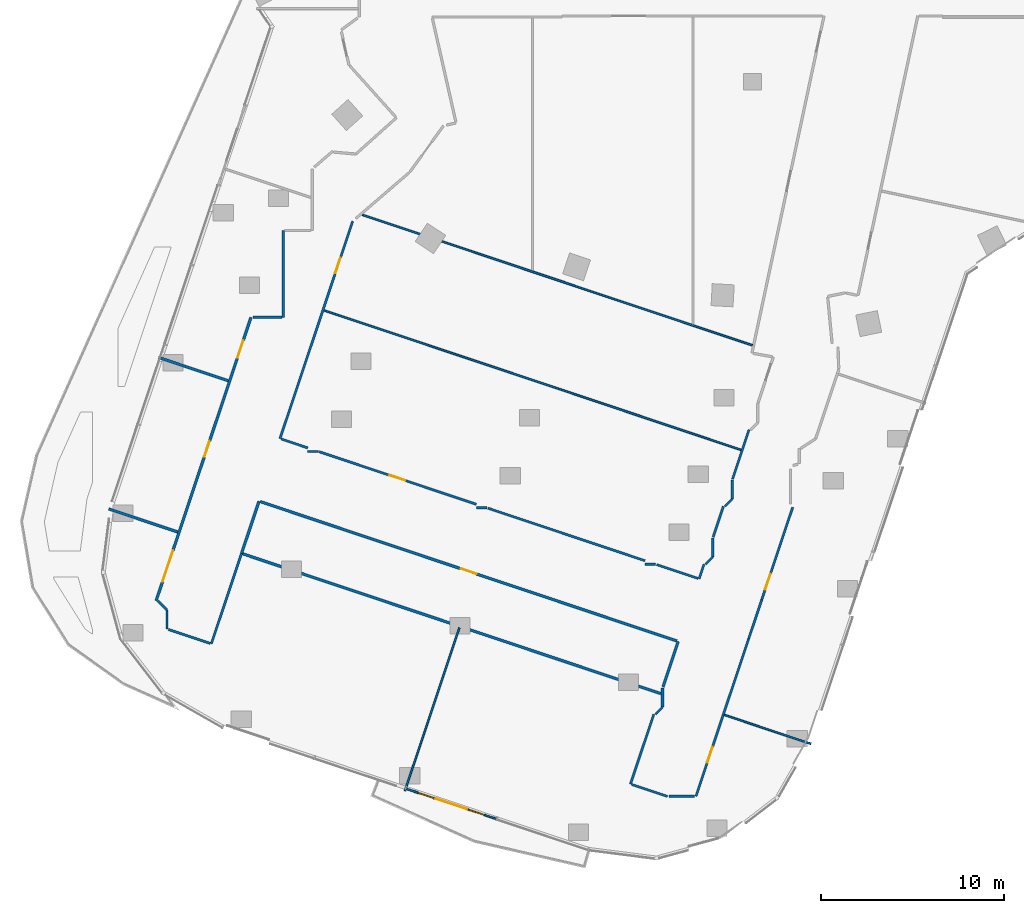
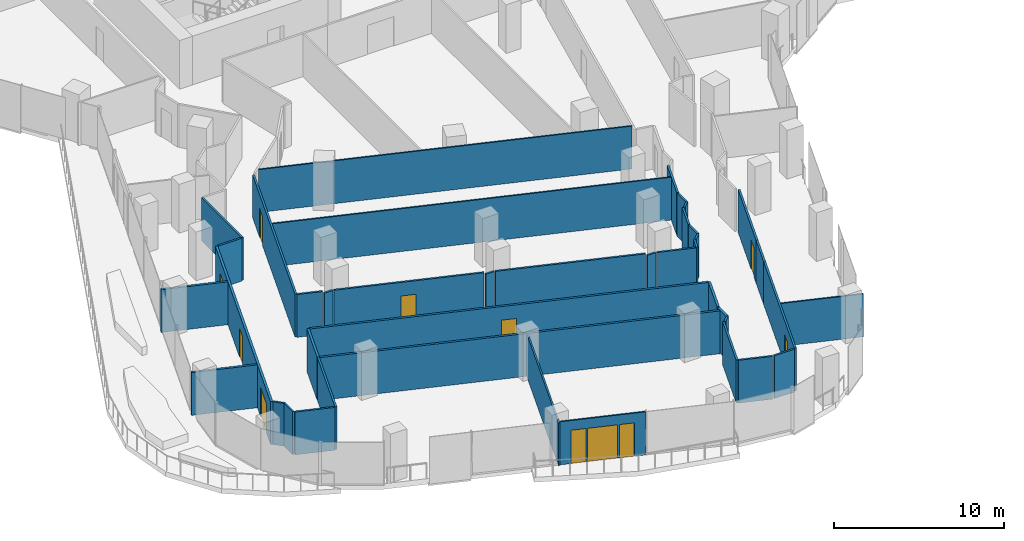
# One storey, part 21 of 34: 41 walls, 9 doors, 2 windows, 11 openings.
"""IFC4 building model written with IfcOpenShell, lengths in metres."""

from ifc_helpers import new_model, si_unit, direction, frame, frame_2d, origin, place, context, subcontext, project, spatial, rectangle, extrude, material, layer, layer_set, type_object, element, fill, save


model = new_model("IFC4")

# Units and contexts
model_context = context("Model", 3, precision=1e-05, world=origin(), true_north=direction((0.0, 1.0)))
body_context = subcontext(model_context, "Body", "Model", "MODEL_VIEW")
ifc_project = project(units=[si_unit("LENGTHUNIT", "METRE"), si_unit("AREAUNIT", "SQUARE_METRE"), si_unit("VOLUMEUNIT", "CUBIC_METRE"), si_unit("PLANEANGLEUNIT", "RADIAN"), si_unit("MASSUNIT", "GRAM", prefix="KILO")], contexts=[model_context])

# Site, building, storey
site_placement = place(None, origin())
site = spatial("IfcSite", under=ifc_project, at=site_placement, CompositionType="ELEMENT")
building_placement = place(site_placement, origin())
building = spatial("IfcBuilding", under=site, at=building_placement, Name="Orlundy Tower", CompositionType="ELEMENT")
storey_placement = place(building_placement, frame((0.0, 0.0, 145.60009765625)))
storey = spatial("IfcBuildingStorey", under=building, at=storey_placement, Name="L37", CompositionType="ELEMENT", Elevation=145.60009765625)

# Walls
ifc_material_1 = material(Name="Gypsum board partition")
ifc_layer_1 = layer(ifc_material_1, 0.10009765625)
ifc_layer_set_1 = layer_set([ifc_layer_1], Name="Floor partition 100")
wall_type_1 = type_object("IfcWallType", Name="Floor partition 100", PredefinedType="PARTITIONING", material=ifc_layer_set_1)
wall_1_placement = place(storey_placement, frame((-1.528076171875, -52.530029296875, 0.0), z_axis=(0.0, 0.0, 1.0), x_axis=(0.948388493502, -0.317110809328, 0.0)))
element("IfcWall", 1, at=wall_1_placement, inside=storey, type_object=wall_type_1, Name="wall-int-L37-019", PredefinedType="PARTITIONING", context=body_context, shape_type="SweptSolid", body=[
    extrude(rectangle(XDim=4.975830078125, YDim=0.10009765625, at=frame_2d((2.48779296875, 0.0))), origin(), (0.0, 0.0, 1.0), 3.079833984375),
])
wall_2_placement = place(storey_placement, frame((-23.365966796875, -30.4599609375, 0.0), z_axis=(0.0, 0.0, 1.0), x_axis=(0.948327494049, -0.317293183083, 0.0)))
element("IfcWall", 2, at=wall_2_placement, inside=storey, type_object=wall_type_1, Name="wall-int-L37-026", PredefinedType="PARTITIONING", context=body_context, shape_type="SweptSolid", body=[
    extrude(rectangle(XDim=23.987548828125, YDim=0.10009765625, at=frame_2d((11.99365234375, 0.0))), origin(), (0.0, 0.0, 1.0), 3.079833984375),
])
wall_3_placement = place(storey_placement, frame((-21.26904296875, -25.25, 0.0), z_axis=(0.0, 0.0, 1.0), x_axis=(0.948309286751, -0.31734759596, 0.0)))
element("IfcWall", 3, at=wall_3_placement, inside=storey, type_object=wall_type_1, Name="wall-int-L37-028", PredefinedType="PARTITIONING", context=body_context, shape_type="SweptSolid", body=[
    extrude(rectangle(XDim=22.429443359375, YDim=0.10009765625, at=frame_2d((11.21484375, 0.0))), origin(), (0.0, 0.0, 1.0), 3.079833984375),
])
wall_4_placement = place(storey_placement, frame((-18.958984375, -56.6630859375, 0.0), z_axis=(0.0, 0.0, 1.0), x_axis=(0.317204132015, 0.948357284272, 0.0)))
element("IfcWall", 4, at=wall_4_placement, inside=storey, type_object=wall_type_1, Name="wall-int-L37-104", PredefinedType="PARTITIONING", context=body_context, shape_type="SweptSolid", body=[
    extrude(rectangle(XDim=9.375244140625, YDim=0.10009765625, at=frame_2d((4.6875, 0.0))), origin(), (0.0, 0.0, 1.0), 3.079833984375),
])
ifc_material_2 = material(Name="Gypsum board partition, double layer")
ifc_layer_2 = layer(ifc_material_2, 0.125)
ifc_layer_set_2 = layer_set([ifc_layer_2], Name="Floor partition 125")
wall_type_2 = type_object("IfcWallType", Name="Floor partition 125", PredefinedType="PARTITIONING", material=ifc_layer_set_2)
wall_5_placement = place(storey_placement, frame((-31.85595703125, -47.865966796875, 0.0), z_axis=(0.0, 0.0, 1.0), x_axis=(0.948398445466, -0.317081044274, 0.0)))
element("IfcWall", 5, at=wall_5_placement, inside=storey, type_object=wall_type_2, Name="wall-int-L37-015", PredefinedType="PARTITIONING", context=body_context, shape_type="SweptSolid", body=[
    extrude(rectangle(XDim=2.403076171875, YDim=0.125, at=frame_2d((1.20166015625, 0.0))), origin(), (0.0, 0.0, 1.0), 3.079833984375),
])
wall_6_placement = place(storey_placement, frame((-6.592041015625, -56.319091796875, 0.0), z_axis=(0.0, 0.0, 1.0), x_axis=(0.948339824369, -0.317256327778, 0.0)))
element("IfcWall", 6, at=wall_6_placement, inside=storey, type_object=wall_type_2, Name="wall-int-L37-016", PredefinedType="PARTITIONING", context=body_context, shape_type="SweptSolid", body=[
    extrude(rectangle(XDim=2.064697265625, YDim=0.125, at=frame_2d((1.0322265625, 0.0))), origin(), (0.0, 0.0, 1.0), 3.079833984375),
])
wall_7_placement = place(storey_placement, frame((-25.712890625, -37.47412109375, 0.0), z_axis=(0.0, 0.0, 1.0), x_axis=(0.948252483091, -0.317517288209, 0.0)))
element("IfcWall", 7, at=wall_7_placement, inside=storey, type_object=wall_type_2, Name="wall-int-L37-021", PredefinedType="PARTITIONING", context=body_context, shape_type="SweptSolid", body=[
    extrude(rectangle(XDim=1.533203125, YDim=0.125, at=frame_2d((0.7666015625, 0.0))), origin(), (0.0, 0.0, 1.0), 3.079833984375),
])

# Wall, opening, door
wall_8_placement = place(storey_placement, frame((-23.623046875, -38.174072265625, 0.0), z_axis=(0.0, 0.0, 1.0), x_axis=(0.948317616384, -0.317322703971, 0.0)))
wall_8 = element("IfcWall", 8, at=wall_8_placement, inside=storey, type_object=wall_type_2, Name="wall-int-L37-022", PredefinedType="PARTITIONING", context=body_context, shape_type="SweptSolid", body=[
    extrude(rectangle(XDim=9.028564453125, YDim=0.125, at=frame_2d((4.51416015625, 0.0))), origin(), (0.0, 0.0, 1.0), 3.079833984375),
])
opening_1_placement = place(wall_8_placement, frame((4.03759765625, 0.0, 0.0)))
opening_1 = element("IfcOpeningElement", 9, at=opening_1_placement, cuts=wall_8, Name="Opening 28114", PredefinedType="OPENING", context=body_context, shape_type="SweptSolid", body=[
    extrude(rectangle(XDim=0.89990234375, YDim=2.10009765625, at=frame_2d((0.449951171875, 1.050048828125))), frame((0.0, 0.072509765625, 0.0), z_axis=(0.0, -1.0, 0.0), x_axis=(1.0, 0.0, 0.0)), (0.0, 0.0, 1.0), 0.14501953125),
])
ifc_material_3 = material(Name="Timber door leaf", Category="wood")
door_type_1 = type_object("IfcDoorType", Name="Floor door single 900 FD30S", OperationType="NOTDEFINED", PredefinedType="DOOR", material=ifc_material_3)
door_1_placement = place(opening_1_placement, origin())
door_1 = element("IfcDoor", 10, at=door_1_placement, inside=storey, type_object=door_type_1, Name="Door 28114", OperationType="SINGLE_SWING_LEFT", OverallHeight=2.10009765625, OverallWidth=0.89990234375, PredefinedType="DOOR", context=body_context, shape_type="SweptSolid", body=[
    extrude(rectangle(XDim=0.89990234375, YDim=2.10009765625, at=frame_2d((0.449951171875, 1.050048828125))), frame((0.0, 0.02490234375, 0.0), z_axis=(0.0, -1.0, 0.0), x_axis=(1.0, 0.0, 0.0)), (0.0, 0.0, 1.0), 0.050048828125),
])
fill(opening_1, door_1)

# Walls
wall_9_placement = place(storey_placement, frame((-14.424072265625, -41.251953125, 0.0), z_axis=(0.0, 0.0, 1.0), x_axis=(0.948339274477, -0.317257971508, 0.0)))
element("IfcWall", 11, at=wall_9_placement, inside=storey, type_object=wall_type_2, Name="wall-int-L37-023", PredefinedType="PARTITIONING", context=body_context, shape_type="SweptSolid", body=[
    extrude(rectangle(XDim=9.02734375, YDim=0.125, at=frame_2d((4.513671875, 0.0))), origin(), (0.0, 0.0, 1.0), 3.079833984375),
])
wall_10_placement = place(storey_placement, frame((-5.22509765625, -44.330078125, 0.0), z_axis=(0.0, 0.0, 1.0), x_axis=(0.948488440949, -0.316811738081, 0.0)))
element("IfcWall", 12, at=wall_10_placement, inside=storey, type_object=wall_type_2, Name="wall-int-L37-024", PredefinedType="PARTITIONING", context=body_context, shape_type="SweptSolid", body=[
    extrude(rectangle(XDim=2.3828125, YDim=0.125, at=frame_2d((1.19140625, 0.0))), origin(), (0.0, 0.0, 1.0), 3.079833984375),
])
wall_11_placement = place(storey_placement, frame((-4.547119140625, -56.972900390625, 0.0), z_axis=(0.0, 0.0, 1.0), x_axis=(1.0, 0.0, 0.0)))
element("IfcWall", 13, at=wall_11_placement, inside=storey, type_object=wall_type_2, Name="wall-int-L37-048", PredefinedType="PARTITIONING", context=body_context, shape_type="SweptSolid", body=[
    extrude(rectangle(XDim=1.383056640625, YDim=0.125, at=frame_2d((0.69140625, 0.0))), origin(), (0.0, 0.0, 1.0), 3.079833984375),
])
wall_12_placement = place(storey_placement, frame((-5.2919921875, -52.49609375, 0.0), z_axis=(0.0, 0.0, 1.0), x_axis=(0.707106781187, 0.707106781187, 0.0)))
element("IfcWall", 14, at=wall_12_placement, inside=storey, type_object=wall_type_2, Name="wall-int-L37-049", PredefinedType="PARTITIONING", context=body_context, shape_type="SweptSolid", body=[
    extrude(rectangle(XDim=0.55322265625, YDim=0.125, at=frame_2d((0.276611328125, 0.0))), origin(), (0.0, 0.0, 1.0), 3.079833984375),
])
wall_13_placement = place(storey_placement, frame((-32.430908203125, -46.305908203125, 0.0), z_axis=(0.0, 0.0, 1.0), x_axis=(0.706931689754, -0.707281829274, 0.0)))
element("IfcWall", 15, at=wall_13_placement, inside=storey, type_object=wall_type_2, Name="wall-int-L37-050", PredefinedType="PARTITIONING", context=body_context, shape_type="SweptSolid", body=[
    extrude(rectangle(XDim=0.697265625, YDim=0.125, at=frame_2d((0.3486328125, 0.0))), origin(), (0.0, 0.0, 1.0), 3.079833984375),
])
wall_14_placement = place(storey_placement, frame((-5.861083984375, -44.30908203125, 0.0), z_axis=(0.0, 0.0, 1.0), x_axis=(1.0, 0.0, 0.0)))
element("IfcWall", 16, at=wall_14_placement, inside=storey, type_object=wall_type_2, Name="wall-int-L37-051", PredefinedType="PARTITIONING", context=body_context, shape_type="SweptSolid", body=[
    extrude(rectangle(XDim=0.5771484375, YDim=0.125, at=frame_2d((0.28857421875, 0.0))), origin(), (0.0, 0.0, 1.0), 3.079833984375),
])
wall_15_placement = place(storey_placement, frame((-2.552978515625, -44.30908203125, 0.0), z_axis=(0.0, 0.0, 1.0), x_axis=(0.706885982832, 0.707327510617, 0.0)))
element("IfcWall", 17, at=wall_15_placement, inside=storey, type_object=wall_type_2, Name="wall-int-L37-052", PredefinedType="PARTITIONING", context=body_context, shape_type="SweptSolid", body=[
    extrude(rectangle(XDim=0.552978515625, YDim=0.125, at=frame_2d((0.2763671875, 0.0))), origin(), (0.0, 0.0, 1.0), 3.079833984375),
])
wall_16_placement = place(storey_placement, frame((-15.06005859375, -41.23095703125, 0.0), z_axis=(0.0, 0.0, 1.0), x_axis=(1.0, 0.0, 0.0)))
element("IfcWall", 18, at=wall_16_placement, inside=storey, type_object=wall_type_2, Name="wall-int-L37-053", PredefinedType="PARTITIONING", context=body_context, shape_type="SweptSolid", body=[
    extrude(rectangle(XDim=0.576171875, YDim=0.125, at=frame_2d((0.2880859375, 0.0))), origin(), (0.0, 0.0, 1.0), 3.079833984375),
])
wall_17_placement = place(storey_placement, frame((-1.4951171875, -41.14794921875, 0.0), z_axis=(0.0, 0.0, 1.0), x_axis=(0.707327510617, 0.706885982832, 0.0)))
element("IfcWall", 19, at=wall_17_placement, inside=storey, type_object=wall_type_2, Name="wall-int-L37-054", PredefinedType="PARTITIONING", context=body_context, shape_type="SweptSolid", body=[
    extrude(rectangle(XDim=0.552978515625, YDim=0.125, at=frame_2d((0.2763671875, 0.0))), origin(), (0.0, 0.0, 1.0), 3.079833984375),
])
wall_18_placement = place(storey_placement, frame((-24.258056640625, -38.153076171875, 0.0), z_axis=(0.0, 0.0, 1.0), x_axis=(1.0, 0.0, 0.0)))
element("IfcWall", 20, at=wall_18_placement, inside=storey, type_object=wall_type_2, Name="wall-int-L37-055", PredefinedType="PARTITIONING", context=body_context, shape_type="SweptSolid", body=[
    extrude(rectangle(XDim=0.576171875, YDim=0.125, at=frame_2d((0.2880859375, 0.0))), origin(), (0.0, 0.0, 1.0), 3.079833984375),
])
wall_19_placement = place(storey_placement, frame((-27.2548828125, -30.837890625, 0.0), z_axis=(0.0, 0.0, 1.0), x_axis=(1.0, 0.0, 0.0)))
element("IfcWall", 21, at=wall_19_placement, inside=storey, type_object=wall_type_2, Name="wall-int-L37-058", PredefinedType="PARTITIONING", context=body_context, shape_type="SweptSolid", body=[
    extrude(rectangle(XDim=1.600830078125, YDim=0.125, at=frame_2d((0.80029296875, 0.0))), origin(), (0.0, 0.0, 1.0), 3.079833984375),
])
wall_20_placement = place(storey_placement, frame((-0.20703125, -48.385009765625, 0.0), z_axis=(0.0, 0.0, 1.0), x_axis=(0.317591795151, 0.948227531584, 0.0)))
element("IfcWall", 22, at=wall_20_placement, inside=storey, type_object=wall_type_2, Name="wall-int-L37-094", PredefinedType="PARTITIONING", context=body_context, shape_type="SweptSolid", body=[
    extrude(rectangle(XDim=2.254638671875, YDim=0.125, at=frame_2d((1.12744140625, 0.0))), origin(), (0.0, 0.0, 1.0), 3.079833984375),
])

# Wall, opening, door
wall_21_placement = place(storey_placement, frame((-0.2080078125, -48.387939453125, 0.0), z_axis=(0.0, 0.0, 1.0), x_axis=(-0.317280583106, -0.94833170968, 0.0)))
wall_21 = element("IfcWall", 23, at=wall_21_placement, inside=storey, type_object=wall_type_2, Name="wall-int-L37-096", PredefinedType="PARTITIONING", context=body_context, shape_type="SweptSolid", body=[
    extrude(rectangle(XDim=9.042236328125, YDim=0.125, at=frame_2d((4.52099609375, 0.0))), origin(), (0.0, 0.0, 1.0), 3.079833984375),
])
opening_2_placement = place(wall_21_placement, frame((6.196533203125, 0.0, 0.0)))
opening_2 = element("IfcOpeningElement", 24, at=opening_2_placement, cuts=wall_21, Name="Opening 28116", PredefinedType="OPENING", context=body_context, shape_type="SweptSolid", body=[
    extrude(rectangle(XDim=0.89990234375, YDim=2.10009765625, at=frame_2d((0.449951171875, 1.050048828125))), frame((0.0, 0.072509765625, 0.0), z_axis=(0.0, -1.0, 0.0), x_axis=(1.0, 0.0, 0.0)), (0.0, 0.0, 1.0), 0.14501953125),
])
door_2_placement = place(opening_2_placement, origin())
door_2 = element("IfcDoor", 25, at=door_2_placement, inside=storey, type_object=door_type_1, Name="Door 28116", OperationType="SINGLE_SWING_RIGHT", OverallHeight=2.10009765625, OverallWidth=0.89990234375, PredefinedType="DOOR", context=body_context, shape_type="SweptSolid", body=[
    extrude(rectangle(XDim=0.89990234375, YDim=2.10009765625, at=frame_2d((0.449951171875, 1.050048828125))), frame((0.0, 0.02490234375, 0.0), z_axis=(0.0, -1.0, 0.0), x_axis=(1.0, 0.0, 0.0)), (0.0, 0.0, 1.0), 0.050048828125),
])
fill(opening_2, door_2)

wall_22_placement = place(storey_placement, frame((2.197998046875, -41.201904296875, 0.0), z_axis=(0.0, 0.0, 1.0), x_axis=(-0.317452710065, -0.948274104293, 0.0)))
wall_22 = element("IfcWall", 26, at=wall_22_placement, inside=storey, type_object=wall_type_2, Name="wall-int-L37-097", PredefinedType="PARTITIONING", context=body_context, shape_type="SweptSolid", body=[
    extrude(rectangle(XDim=5.3203125, YDim=0.125, at=frame_2d((2.66015625, 0.0))), origin(), (0.0, 0.0, 1.0), 3.079833984375),
])
opening_3_placement = place(wall_22_placement, frame((3.8251953125, 0.0, 0.0)))
opening_3 = element("IfcOpeningElement", 27, at=opening_3_placement, cuts=wall_22, Name="Opening 28111", PredefinedType="OPENING", context=body_context, shape_type="SweptSolid", body=[
    extrude(rectangle(XDim=0.89990234375, YDim=2.10009765625, at=frame_2d((0.449951171875, 1.050048828125))), frame((0.0, 0.072509765625, 0.0), z_axis=(0.0, -1.0, 0.0), x_axis=(1.0, 0.0, 0.0)), (0.0, 0.0, 1.0), 0.14501953125),
])
door_3_placement = place(opening_3_placement, origin())
door_3 = element("IfcDoor", 28, at=door_3_placement, inside=storey, type_object=door_type_1, Name="Door 28111", OperationType="SINGLE_SWING_RIGHT", OverallHeight=2.10009765625, OverallWidth=0.89990234375, PredefinedType="DOOR", context=body_context, shape_type="SweptSolid", body=[
    extrude(rectangle(XDim=0.89990234375, YDim=2.10009765625, at=frame_2d((0.449951171875, 1.050048828125))), frame((0.0, 0.02490234375, 0.0), z_axis=(0.0, -1.0, 0.0), x_axis=(1.0, 0.0, 0.0)), (0.0, 0.0, 1.0), 0.050048828125),
])
fill(opening_3, door_3)

# Walls
wall_23_placement = place(storey_placement, frame((-6.652099609375, -56.299072265625, 0.0), z_axis=(0.0, 0.0, 1.0), x_axis=(0.317323664318, 0.948317295036, 0.0)))
element("IfcWall", 29, at=wall_23_placement, inside=storey, type_object=wall_type_2, Name="wall-int-L37-098", PredefinedType="PARTITIONING", context=body_context, shape_type="SweptSolid", body=[
    extrude(rectangle(XDim=4.00927734375, YDim=0.125, at=frame_2d((2.004638671875, 0.0))), origin(), (0.0, 0.0, 1.0), 3.079833984375),
])
wall_24_placement = place(storey_placement, frame((-2.906005859375, -45.10498046875, 0.0), z_axis=(0.0, 0.0, 1.0), x_axis=(0.317450707718, 0.948274774614, 0.0)))
element("IfcWall", 30, at=wall_24_placement, inside=storey, type_object=wall_type_2, Name="wall-int-L37-100", PredefinedType="PARTITIONING", context=body_context, shape_type="SweptSolid", body=[
    extrude(rectangle(XDim=0.83837890625, YDim=0.125, at=frame_2d((0.419189453125, 0.0))), origin(), (0.0, 0.0, 1.0), 3.079833984375),
])
wall_25_placement = place(storey_placement, frame((-2.14208984375, -42.822998046875, 0.0), z_axis=(0.0, 0.0, 1.0), x_axis=(0.316933512953, 0.948447757321, 0.0)))
element("IfcWall", 31, at=wall_25_placement, inside=storey, type_object=wall_type_2, Name="wall-int-L37-101", PredefinedType="PARTITIONING", context=body_context, shape_type="SweptSolid", body=[
    extrude(rectangle(XDim=1.763916015625, YDim=0.125, at=frame_2d((0.8818359375, 0.0))), origin(), (0.0, 0.0, 1.0), 3.079833984375),
])
wall_26_placement = place(storey_placement, frame((-1.083984375, -39.660888671875, 0.0), z_axis=(0.0, 0.0, 1.0), x_axis=(0.317184851324, 0.948363733011, 0.0)))
element("IfcWall", 32, at=wall_26_placement, inside=storey, type_object=wall_type_2, Name="wall-int-L37-102", PredefinedType="PARTITIONING", context=body_context, shape_type="SweptSolid", body=[
    extrude(rectangle(XDim=2.8310546875, YDim=0.125, at=frame_2d((1.41552734375, 0.0))), origin(), (0.0, 0.0, 1.0), 3.079833984375),
])

# Wall, opening, door
wall_27_placement = place(storey_placement, frame((-21.804931640625, -25.593994140625, 0.0), z_axis=(0.0, 0.0, 1.0), x_axis=(-0.317211500161, -0.948354819762, 0.0)))
wall_27 = element("IfcWall", 33, at=wall_27_placement, inside=storey, type_object=wall_type_2, Name="wall-int-L37-106", PredefinedType="PARTITIONING", context=body_context, shape_type="SweptSolid", body=[
    extrude(rectangle(XDim=12.505859375, YDim=0.125, at=frame_2d((6.2529296875, 0.0))), origin(), (0.0, 0.0, 1.0), 3.079833984375),
])
opening_4_placement = place(wall_27_placement, frame((2.098388671875, 0.0, 0.0)))
opening_4 = element("IfcOpeningElement", 34, at=opening_4_placement, cuts=wall_27, Name="Opening 28112", PredefinedType="OPENING", context=body_context, shape_type="SweptSolid", body=[
    extrude(rectangle(XDim=0.89990234375, YDim=2.10009765625, at=frame_2d((0.449951171875, 1.050048828125))), frame((0.0, 0.072509765625, 0.0), z_axis=(0.0, -1.0, 0.0), x_axis=(1.0, 0.0, 0.0)), (0.0, 0.0, 1.0), 0.14501953125),
])
door_4_placement = place(opening_4_placement, origin())
door_4 = element("IfcDoor", 35, at=door_4_placement, inside=storey, type_object=door_type_1, Name="Door 28112", OperationType="SINGLE_SWING_LEFT", OverallHeight=2.10009765625, OverallWidth=0.89990234375, PredefinedType="DOOR", context=body_context, shape_type="SweptSolid", body=[
    extrude(rectangle(XDim=0.89990234375, YDim=2.10009765625, at=frame_2d((0.449951171875, 1.050048828125))), frame((0.0, 0.02490234375, 0.0), z_axis=(0.0, -1.0, 0.0), x_axis=(1.0, 0.0, 0.0)), (0.0, 0.0, 1.0), 0.050048828125),
])
fill(opening_4, door_4)

# Walls
wall_28_placement = place(storey_placement, frame((-29.51708984375, -48.64794921875, 0.0), z_axis=(0.0, 0.0, 1.0), x_axis=(0.317185500333, 0.948363515947, 0.0)))
element("IfcWall", 36, at=wall_28_placement, inside=storey, type_object=wall_type_2, Name="wall-int-L37-107", PredefinedType="PARTITIONING", context=body_context, shape_type="SweptSolid", body=[
    extrude(rectangle(XDim=5.199462890625, YDim=0.125, at=frame_2d((2.599609375, 0.0))), origin(), (0.0, 0.0, 1.0), 3.079833984375),
])
wall_29_placement = place(storey_placement, frame((-1.10400390625, -40.757080078125, 0.0), z_axis=(0.0, 0.0, 1.0), x_axis=(0.0, 1.0, 0.0)))
element("IfcWall", 37, at=wall_29_placement, inside=storey, type_object=wall_type_2, Name="wall-int-L37-140", PredefinedType="PARTITIONING", context=body_context, shape_type="SweptSolid", body=[
    extrude(rectangle(XDim=1.037109375, YDim=0.125, at=frame_2d((0.5185546875, 0.0))), origin(), (0.0, 0.0, 1.0), 3.079833984375),
])
wall_30_placement = place(storey_placement, frame((-2.162109375, -43.91796875, 0.0), z_axis=(0.0, 0.0, 1.0), x_axis=(0.0, 1.0, 0.0)))
element("IfcWall", 38, at=wall_30_placement, inside=storey, type_object=wall_type_2, Name="wall-int-L37-141", PredefinedType="PARTITIONING", context=body_context, shape_type="SweptSolid", body=[
    extrude(rectangle(XDim=1.035888671875, YDim=0.125, at=frame_2d((0.51806640625, 0.0))), origin(), (0.0, 0.0, 1.0), 3.079833984375),
])
wall_31_placement = place(storey_placement, frame((-25.591064453125, -30.837890625, 0.0), z_axis=(0.0, 0.0, 1.0), x_axis=(0.0, 1.0, 0.0)))
element("IfcWall", 39, at=wall_31_placement, inside=storey, type_object=wall_type_2, Name="wall-int-L37-149", PredefinedType="PARTITIONING", context=body_context, shape_type="SweptSolid", body=[
    extrude(rectangle(XDim=4.740966796875, YDim=0.125, at=frame_2d((2.37060546875, 0.0))), origin(), (0.0, 0.0, 1.0), 3.079833984375),
])
wall_32_placement = place(storey_placement, frame((-31.93798828125, -47.837890625, 0.0), z_axis=(0.0, 0.0, 1.0), x_axis=(0.0, 1.0, 0.0)))
element("IfcWall", 40, at=wall_32_placement, inside=storey, type_object=wall_type_2, Name="wall-int-L37-150", PredefinedType="PARTITIONING", context=body_context, shape_type="SweptSolid", body=[
    extrude(rectangle(XDim=1.038818359375, YDim=0.125, at=frame_2d((0.51953125, 0.0))), origin(), (0.0, 0.0, 1.0), 3.079833984375),
])
ifc_material_4 = material(Name="Blockwork shaft wall", Category="masonry")
ifc_layer_3 = layer(ifc_material_4, 0.14990234375)
ifc_layer_set_3 = layer_set([ifc_layer_3], Name="Floor shaft wall 150")
wall_type_3 = type_object("IfcWallType", Name="Floor shaft wall 150", PredefinedType="PARTITIONING", material=ifc_layer_set_3)
wall_33_placement = place(storey_placement, frame((-35.112060546875, -41.2919921875, 0.0), z_axis=(0.0, 0.0, 1.0), x_axis=(0.948300748581, -0.317373108881, 0.0)))
element("IfcWall", 41, at=wall_33_placement, inside=storey, type_object=wall_type_3, Name="wall-int-L37-017", PredefinedType="PARTITIONING", context=body_context, shape_type="SweptSolid", body=[
    extrude(rectangle(XDim=3.9638671875, YDim=0.14990234375, at=frame_2d((1.98193359375, 0.0))), origin(), (0.0, 0.0, 1.0), 3.079833984375),
])
wall_34_placement = place(storey_placement, frame((-27.797119140625, -43.740966796875, 0.0), z_axis=(0.0, 0.0, 1.0), x_axis=(0.948342550157, -0.31724817976, 0.0)))
element("IfcWall", 42, at=wall_34_placement, inside=storey, type_object=wall_type_3, Name="wall-int-L37-018", PredefinedType="PARTITIONING", context=body_context, shape_type="SweptSolid", body=[
    extrude(rectangle(XDim=24.041015625, YDim=0.14990234375, at=frame_2d((12.0205078125, 0.0))), origin(), (0.0, 0.0, 1.0), 3.079833984375),
])

# Wall, opening, door
wall_35_placement = place(storey_placement, frame((-4.1201171875, -48.49609375, 0.0), z_axis=(0.0, 0.0, 1.0), x_axis=(-0.948327115108, 0.31729431566, 0.0)))
wall_35 = element("IfcWall", 43, at=wall_35_placement, inside=storey, type_object=wall_type_3, Name="wall-int-L37-020", PredefinedType="PARTITIONING", context=body_context, shape_type="SweptSolid", body=[
    extrude(rectangle(XDim=23.962158203125, YDim=0.14990234375, at=frame_2d((11.98095703125, 0.0))), origin(), (0.0, 0.0, 1.0), 3.079833984375),
])
opening_5_placement = place(wall_35_placement, frame((11.52490234375, 0.0, 0.0)))
opening_5 = element("IfcOpeningElement", 44, at=opening_5_placement, cuts=wall_35, Name="Opening 28115", PredefinedType="OPENING", context=body_context, shape_type="SweptSolid", body=[
    extrude(rectangle(XDim=0.89990234375, YDim=2.10009765625, at=frame_2d((0.449951171875, 1.050048828125))), frame((0.0, 0.0849609375, 0.0), z_axis=(0.0, -1.0, 0.0), x_axis=(1.0, 0.0, 0.0)), (0.0, 0.0, 1.0), 0.169921875),
])
ifc_material_5 = material(Name="Timber door leaf", Category="wood")
door_type_2 = type_object("IfcDoorType", Name="Floor door single 900 FD60", OperationType="NOTDEFINED", PredefinedType="DOOR", material=ifc_material_5)
door_5_placement = place(opening_5_placement, origin())
door_5 = element("IfcDoor", 45, at=door_5_placement, inside=storey, type_object=door_type_2, Name="Door 28115", OperationType="SINGLE_SWING_LEFT", OverallHeight=2.10009765625, OverallWidth=0.89990234375, PredefinedType="DOOR", context=body_context, shape_type="SweptSolid", body=[
    extrude(rectangle(XDim=0.89990234375, YDim=2.10009765625, at=frame_2d((0.449951171875, 1.050048828125))), frame((0.0, 0.02490234375, 0.0), z_axis=(0.0, -1.0, 0.0), x_axis=(1.0, 0.0, 0.0)), (0.0, 0.0, 1.0), 0.050048828125),
])
fill(opening_5, door_5)

# Walls
wall_36_placement = place(storey_placement, frame((-32.404052734375, -33.02490234375, 0.0), z_axis=(0.0, 0.0, 1.0), x_axis=(0.948324257316, -0.317302856884, 0.0)))
element("IfcWall", 46, at=wall_36_placement, inside=storey, type_object=wall_type_3, Name="wall-int-L37-025", PredefinedType="PARTITIONING", context=body_context, shape_type="SweptSolid", body=[
    extrude(rectangle(XDim=4.018798828125, YDim=0.14990234375, at=frame_2d((2.00927734375, 0.0))), origin(), (0.0, 0.0, 1.0), 3.079833984375),
])
wall_37_placement = place(storey_placement, frame((-4.876953125, -50.9970703125, 0.0), z_axis=(0.0, 0.0, 1.0), x_axis=(0.316984839345, 0.948430604539, 0.0)))
element("IfcWall", 47, at=wall_37_placement, inside=storey, type_object=wall_type_3, Name="wall-int-L37-099", PredefinedType="PARTITIONING", context=body_context, shape_type="SweptSolid", body=[
    extrude(rectangle(XDim=2.61181640625, YDim=0.14990234375, at=frame_2d((1.305908203125, 0.0))), origin(), (0.0, 0.0, 1.0), 3.079833984375),
])
wall_38_placement = place(storey_placement, frame((-27.867919921875, -43.717041015625, 0.0), z_axis=(0.0, 0.0, 1.0), x_axis=(0.317276218283, 0.948333169995, 0.0)))
element("IfcWall", 48, at=wall_38_placement, inside=storey, type_object=wall_type_3, Name="wall-int-L37-105", PredefinedType="PARTITIONING", context=body_context, shape_type="SweptSolid", body=[
    extrude(rectangle(XDim=3.00341796875, YDim=0.14990234375, at=frame_2d((1.501708984375, 0.0))), origin(), (0.0, 0.0, 1.0), 3.079833984375),
])

# Wall, openings, doors
wall_39_placement = place(storey_placement, frame((-32.531005859375, -46.305908203125, 0.0), z_axis=(0.0, 0.0, 1.0), x_axis=(0.317372718061, 0.948300879379, 0.0)))
wall_39 = element("IfcWall", 49, at=wall_39_placement, inside=storey, type_object=wall_type_3, Name="wall-int-L37-108", PredefinedType="PARTITIONING", context=body_context, shape_type="SweptSolid", body=[
    extrude(rectangle(XDim=16.30908203125, YDim=0.14990234375, at=frame_2d((8.154541015625, 0.0))), origin(), (0.0, 0.0, 1.0), 3.079833984375),
])
opening_6_placement = place(wall_39_placement, frame((8.288818359375, 0.0, 0.0)))
opening_6 = element("IfcOpeningElement", 50, at=opening_6_placement, cuts=wall_39, Name="Opening 28110", PredefinedType="OPENING", context=body_context, shape_type="SweptSolid", body=[
    extrude(rectangle(XDim=0.89990234375, YDim=2.10009765625, at=frame_2d((0.449951171875, 1.050048828125))), frame((0.0, 0.0849609375, 0.0), z_axis=(0.0, -1.0, 0.0), x_axis=(1.0, 0.0, 0.0)), (0.0, 0.0, 1.0), 0.169921875),
])
opening_7_placement = place(wall_39_placement, frame((1.10009765625, 0.0, 0.0)))
opening_7 = element("IfcOpeningElement", 51, at=opening_7_placement, cuts=wall_39, Name="Opening 28117", PredefinedType="OPENING", context=body_context, shape_type="SweptSolid", body=[
    extrude(rectangle(XDim=1.800048828125, YDim=2.10009765625, at=frame_2d((0.89990234375, 1.050048828125))), frame((0.0, 0.0849609375, 0.0), z_axis=(0.0, -1.0, 0.0), x_axis=(1.0, 0.0, 0.0)), (0.0, 0.0, 1.0), 0.169921875),
])
opening_8_placement = place(wall_39_placement, frame((13.98486328125, 0.0, 0.0)))
opening_8 = element("IfcOpeningElement", 52, at=opening_8_placement, cuts=wall_39, Name="Opening 28118", PredefinedType="OPENING", context=body_context, shape_type="SweptSolid", body=[
    extrude(rectangle(XDim=1.0, YDim=2.10009765625, at=frame_2d((0.5, 1.050048828125))), frame((0.0, 0.0849609375, 0.0), z_axis=(0.0, -1.0, 0.0), x_axis=(1.0, 0.0, 0.0)), (0.0, 0.0, 1.0), 0.169921875),
])
ifc_material_6 = material(Name="Timber door leaf", Category="wood")
door_type_3 = type_object("IfcDoorType", Name="Floor door double 1800 FD60", OperationType="NOTDEFINED", PredefinedType="DOOR", material=ifc_material_6)
door_6_placement = place(opening_7_placement, origin())
door_6 = element("IfcDoor", 53, at=door_6_placement, inside=storey, type_object=door_type_3, Name="Door 28117", OperationType="DOUBLE_DOOR_SINGLE_SWING", OverallHeight=2.10009765625, OverallWidth=1.800048828125, PredefinedType="DOOR", context=body_context, shape_type="SweptSolid", body=[
    extrude(rectangle(XDim=1.800048828125, YDim=2.10009765625, at=frame_2d((0.89990234375, 1.050048828125))), frame((0.0, 0.02490234375, 0.0), z_axis=(0.0, -1.0, 0.0), x_axis=(1.0, 0.0, 0.0)), (0.0, 0.0, 1.0), 0.050048828125),
])
fill(opening_7, door_6)
door_7_placement = place(opening_6_placement, origin())
door_7 = element("IfcDoor", 54, at=door_7_placement, inside=storey, type_object=door_type_2, Name="Door 28110", OperationType="SINGLE_SWING_RIGHT", OverallHeight=2.10009765625, OverallWidth=0.89990234375, PredefinedType="DOOR", context=body_context, shape_type="SweptSolid", body=[
    extrude(rectangle(XDim=0.89990234375, YDim=2.10009765625, at=frame_2d((0.449951171875, 1.050048828125))), frame((0.0, 0.02490234375, 0.0), z_axis=(0.0, -1.0, 0.0), x_axis=(1.0, 0.0, 0.0)), (0.0, 0.0, 1.0), 0.050048828125),
])
fill(opening_6, door_7)
ifc_material_7 = material(Name="Timber door leaf", Category="wood")
door_type_4 = type_object("IfcDoorType", Name="Floor door wide 1000 FD60", OperationType="NOTDEFINED", PredefinedType="DOOR", material=ifc_material_7)
door_8_placement = place(opening_8_placement, origin())
door_8 = element("IfcDoor", 55, at=door_8_placement, inside=storey, type_object=door_type_4, Name="Door 28118", OperationType="SINGLE_SWING_RIGHT", OverallHeight=2.10009765625, OverallWidth=1.0, PredefinedType="DOOR", context=body_context, shape_type="SweptSolid", body=[
    extrude(rectangle(XDim=1.0, YDim=2.10009765625, at=frame_2d((0.5, 1.050048828125))), frame((0.0, 0.02490234375, 0.0), z_axis=(0.0, -1.0, 0.0), x_axis=(1.0, 0.0, 0.0)), (0.0, 0.0, 1.0), 0.050048828125),
])
fill(opening_8, door_8)

# Wall
wall_40_placement = place(storey_placement, frame((-4.90087890625, -52.10498046875, 0.0), z_axis=(0.0, 0.0, 1.0), x_axis=(0.0, 1.0, 0.0)))
element("IfcWall", 56, at=wall_40_placement, inside=storey, type_object=wall_type_3, Name="wall-int-L37-144", PredefinedType="PARTITIONING", context=body_context, shape_type="SweptSolid", body=[
    extrude(rectangle(XDim=1.036865234375, YDim=0.14990234375, at=frame_2d((0.5185546875, 0.0))), origin(), (0.0, 0.0, 1.0), 3.079833984375),
])

# Wall, openings, windows, door
ifc_material_8 = material(Name="Aluminium bronze and tinted glass", Category="aluminium")
ifc_layer_4 = layer(ifc_material_8, 0.10009765625)
ifc_layer_set_4 = layer_set([ifc_layer_4], Name="Glazed door screen")
wall_type_4 = type_object("IfcWallType", Name="Glazed door screen", PredefinedType="STANDARD", material=ifc_layer_set_4)
wall_41_placement = place(storey_placement, frame((-13.9658203125, -58.20654296875, 0.0), z_axis=(0.0, 0.0, 1.0), x_axis=(-0.948325862879, 0.31729805829, 0.0)))
wall_41 = element("IfcWall", 57, at=wall_41_placement, inside=storey, type_object=wall_type_4, Name="Glazed door screen", PredefinedType="STANDARD", context=body_context, shape_type="SweptSolid", body=[
    extrude(rectangle(XDim=5.199951171875, YDim=0.10009765625, at=frame_2d((2.60009765625, 0.0))), origin(), (0.0, 0.0, 1.0), 3.099853515625),
])
opening_9_placement = place(wall_41_placement, frame((1.699951171875, 0.0, 0.0)))
opening_9 = element("IfcOpeningElement", 58, at=opening_9_placement, cuts=wall_41, Name="Opening 28941", PredefinedType="OPENING", context=body_context, shape_type="SweptSolid", body=[
    extrude(rectangle(XDim=1.800048828125, YDim=2.39990234375, at=frame_2d((0.89990234375, 1.199951171875))), frame((0.0, 0.06005859375, 0.0), z_axis=(0.0, -1.0, 0.0), x_axis=(1.0, 0.0, 0.0)), (0.0, 0.0, 1.0), 0.1201171875),
])
opening_10_placement = place(wall_41_placement, frame((0.699951171875, 0.0, 0.0)))
opening_10 = element("IfcOpeningElement", 59, at=opening_10_placement, cuts=wall_41, Name="Opening W02", PredefinedType="OPENING", context=body_context, shape_type="SweptSolid", body=[
    extrude(rectangle(XDim=0.89990234375, YDim=2.39990234375, at=frame_2d((0.449951171875, 1.199951171875))), frame((0.0, 0.06005859375, 0.0), z_axis=(0.0, -1.0, 0.0), x_axis=(1.0, 0.0, 0.0)), (0.0, 0.0, 1.0), 0.1201171875),
])
opening_11_placement = place(wall_41_placement, frame((3.60009765625, 0.0, 0.0)))
opening_11 = element("IfcOpeningElement", 60, at=opening_11_placement, cuts=wall_41, Name="Opening W02", PredefinedType="OPENING", context=body_context, shape_type="SweptSolid", body=[
    extrude(rectangle(XDim=0.89990234375, YDim=2.39990234375, at=frame_2d((0.449951171875, 1.199951171875))), frame((0.0, 0.06005859375, 0.0), z_axis=(0.0, -1.0, 0.0), x_axis=(1.0, 0.0, 0.0)), (0.0, 0.0, 1.0), 0.1201171875),
])
ifc_material_9 = material(Name="Tinted glass in bronze aluminium frame", Category="aluminium")
window_type = type_object("IfcWindowType", Name="SL2 sidelight 900x2400", PartitioningType="SINGLE_PANEL", PredefinedType="WINDOW", material=ifc_material_9)
window_1_placement = place(opening_10_placement, origin())
window_1 = element("IfcWindow", 61, at=window_1_placement, inside=storey, type_object=window_type, Name="Window W02 L37", OverallHeight=2.39990234375, OverallWidth=0.89990234375, PartitioningType="SINGLE_PANEL", PredefinedType="WINDOW", context=body_context, shape_type="SweptSolid", body=[
    extrude(rectangle(XDim=0.89990234375, YDim=2.39990234375, at=frame_2d((0.449951171875, 1.199951171875))), frame((0.0, 0.030029296875, 0.0), z_axis=(0.0, -1.0, 0.0), x_axis=(1.0, 0.0, 0.0)), (0.0, 0.0, 1.0), 0.06005859375),
])
fill(opening_10, window_1)
window_2_placement = place(opening_11_placement, origin())
window_2 = element("IfcWindow", 62, at=window_2_placement, inside=storey, type_object=window_type, Name="Window W02 L37", OverallHeight=2.39990234375, OverallWidth=0.89990234375, PartitioningType="SINGLE_PANEL", PredefinedType="WINDOW", context=body_context, shape_type="SweptSolid", body=[
    extrude(rectangle(XDim=0.89990234375, YDim=2.39990234375, at=frame_2d((0.449951171875, 1.199951171875))), frame((0.0, 0.030029296875, 0.0), z_axis=(0.0, -1.0, 0.0), x_axis=(1.0, 0.0, 0.0)), (0.0, 0.0, 1.0), 0.06005859375),
])
fill(opening_11, window_2)
ifc_material_10 = material(Name="Aluminium bronze and tinted glass", Category="aluminium")
door_type_5 = type_object("IfcDoorType", Name="TD3 terrace sliding door 1800x2400", OperationType="DOUBLE_DOOR_SLIDING", PredefinedType="DOOR", material=ifc_material_10)
door_9_placement = place(opening_9_placement, origin())
door_9 = element("IfcDoor", 63, at=door_9_placement, inside=storey, type_object=door_type_5, Name="Door 28941", OperationType="DOUBLE_DOOR_SLIDING", OverallHeight=2.39990234375, OverallWidth=1.800048828125, PredefinedType="DOOR", context=body_context, shape_type="SweptSolid", body=[
    extrude(rectangle(XDim=1.800048828125, YDim=2.39990234375, at=frame_2d((0.89990234375, 1.199951171875))), frame((0.0, 0.02490234375, 0.0), z_axis=(0.0, -1.0, 0.0), x_axis=(1.0, 0.0, 0.0)), (0.0, 0.0, 1.0), 0.050048828125),
])
fill(opening_9, door_9)

save(model, "model.ifc")
